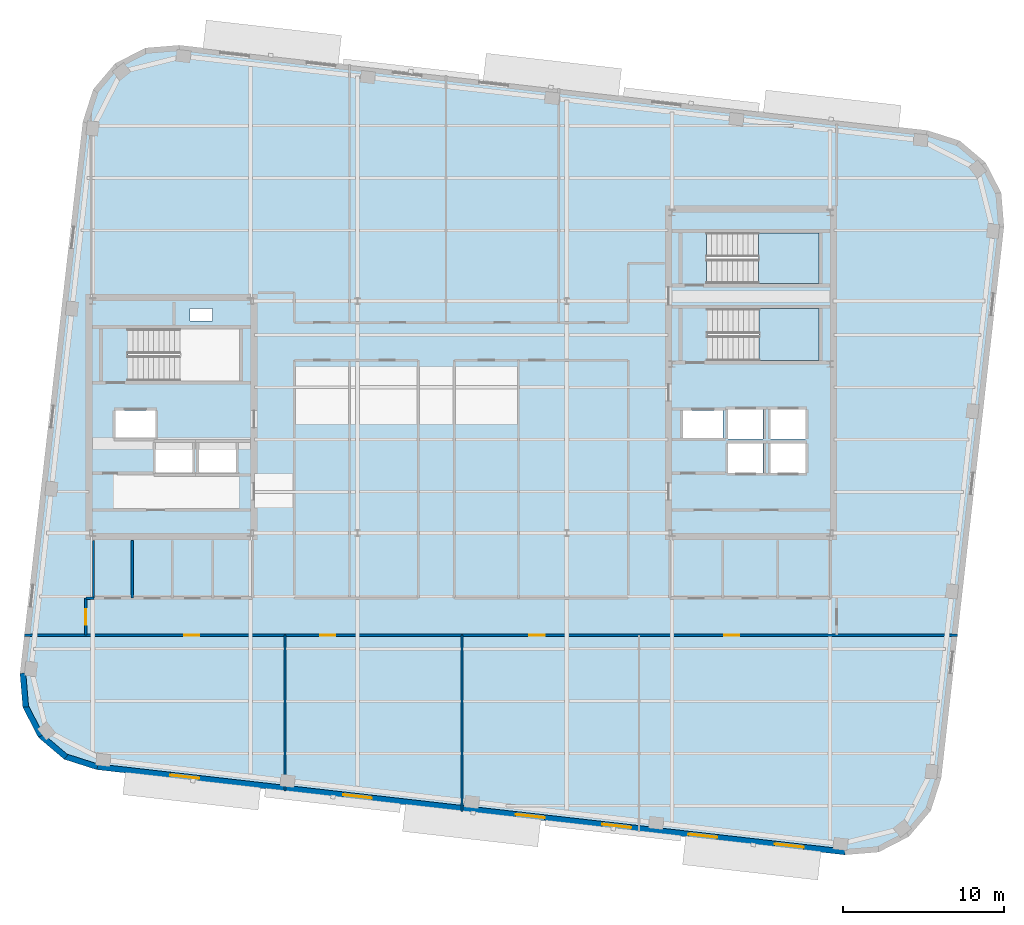
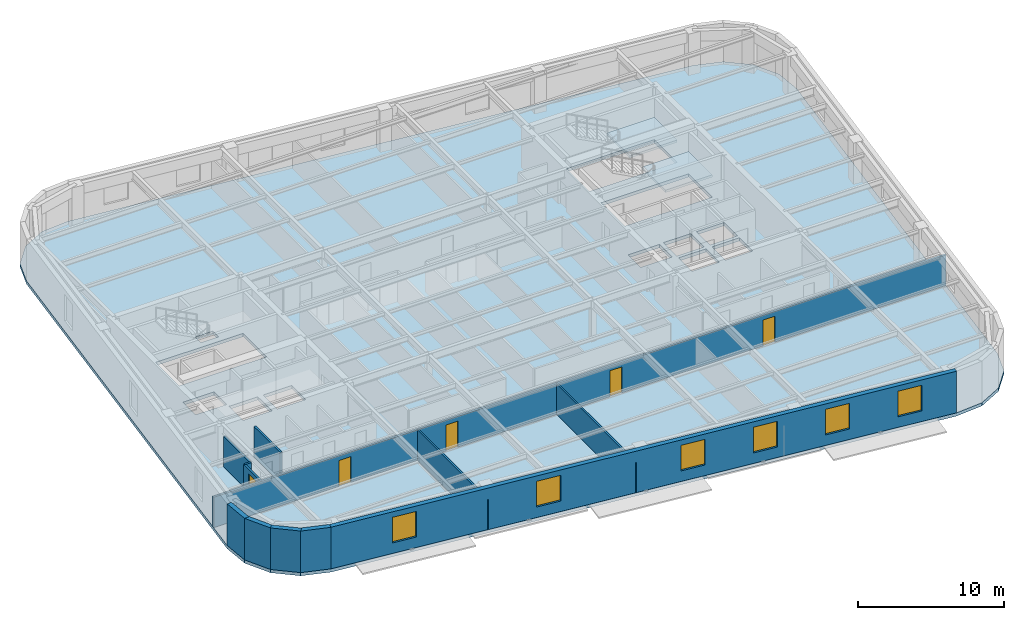
# One storey, part 5 of 13: 12 walls, 6 windows, 5 doors, 3 slabs, 11 openings, 2 elements without a shape of their own.
"""IFC4 building model written with IfcOpenShell, lengths in metres."""

from ifc_helpers import new_model, si_unit, direction, frame, frame_2d, origin, place, context, subcontext, project, spatial, polyline, rectangle, outline, extrude, material, layer, layer_set, type_object, element, fill, aggregate, save


model = new_model("IFC4")

# Units and contexts
model_context = context("Model", 3, precision=1e-05, world=origin(), true_north=direction((0.0, 1.0)))
body_context = subcontext(model_context, "Body", "Model", "MODEL_VIEW")
ifc_project = project(units=[si_unit("LENGTHUNIT", "METRE"), si_unit("AREAUNIT", "SQUARE_METRE"), si_unit("VOLUMEUNIT", "CUBIC_METRE"), si_unit("PLANEANGLEUNIT", "RADIAN"), si_unit("MASSUNIT", "GRAM", prefix="KILO")], contexts=[model_context])

# Site, building, storey
site_placement = place(None, origin())
site = spatial("IfcSite", under=ifc_project, at=site_placement, CompositionType="ELEMENT")
building_placement = place(site_placement, origin())
building = spatial("IfcBuilding", under=site, at=building_placement, Name="Kolvaren Arena Tower", CompositionType="ELEMENT")
storey_placement = place(building_placement, frame((0.0, 0.0, 228.449951171875)))
storey = spatial("IfcBuildingStorey", under=building, at=storey_placement, Name="L55", CompositionType="ELEMENT", Elevation=228.449951171875)

# Stair, slab
ifc_material_1 = material(Name="Concrete 45 MPa", Category="concrete")
stair_type_1 = type_object("IfcStairType", Name="STAIR-CORE-165", PredefinedType="HALF_TURN_STAIR", material=ifc_material_1)
stair_1_placement = place(storey_placement, origin())
stair_1 = element("IfcStair", 1, at=stair_1_placement, inside=storey, type_object=stair_type_1, Name="L55 ST-E1", PredefinedType="HALF_TURN_STAIR")
ifc_layer_1 = layer(ifc_material_1, 0.199951171875)
ifc_layer_set_1 = layer_set([ifc_layer_1], Name="Concrete 45 MPa")
slab_type_1 = type_object("IfcSlabType", Name="SLAB-LAND", PredefinedType="LANDING", material=ifc_layer_set_1)
slab_1_placement = place(storey_placement, frame((0.0, 0.0, 1.675048828125)))
slab_1 = element("IfcSlab", 2, at=slab_1_placement, type_object=slab_type_1, Name="ST-E1 landing 1", PredefinedType="LANDING", context=body_context, shape_type="SweptSolid", body=[
    extrude(outline(polyline([(55.9599609375, 30.14990234375), (59.659912109375, 30.14990234375), (59.659912109375, 33.3798828125), (55.9599609375, 33.3798828125), (55.9599609375, 30.14990234375)])), origin(), (0.0, 0.0, 1.0), 0.199951171875),
])
aggregate(stair_1, [slab_1])

stair_type_2 = type_object("IfcStairType", Name="STAIR-CORE-150", PredefinedType="HALF_TURN_STAIR", material=ifc_material_1)
stair_2_placement = place(storey_placement, origin())
stair_2 = element("IfcStair", 3, at=stair_2_placement, inside=storey, type_object=stair_type_2, Name="L55 ST-E2", PredefinedType="HALF_TURN_STAIR")
slab_2_placement = place(storey_placement, frame((0.0, 0.0, 1.675048828125)))
slab_2 = element("IfcSlab", 4, at=slab_2_placement, type_object=slab_type_1, Name="ST-E2 landing 1", PredefinedType="LANDING", context=body_context, shape_type="SweptSolid", body=[
    extrude(outline(polyline([(55.919921875, 34.949951171875), (59.659912109375, 34.949951171875), (59.659912109375, 38.10009765625), (55.919921875, 38.10009765625), (55.919921875, 34.949951171875)])), origin(), (0.0, 0.0, 1.0), 0.199951171875),
])
aggregate(stair_2, [slab_2])

# Slab
ifc_layer_2 = layer(ifc_material_1, 0.27001953125)
ifc_layer_set_2 = layer_set([ifc_layer_2], Name="Concrete 45 MPa")
slab_type_2 = type_object("IfcSlabType", Name="SLAB-OFF2", PredefinedType="FLOOR", material=ifc_layer_set_2)
slab_3_placement = place(storey_placement, frame((0.0, 0.0, -0.27001953125)))
element("IfcSlab", 5, at=slab_3_placement, inside=storey, type_object=slab_type_2, Name="L55 Primary Structural Slab", PredefinedType="FLOOR", context=body_context, shape_type="SweptSolid", body=[
    extrude(outline(polyline([(61.285400390625, -0.553466796875), (63.38525390625, -0.37890625), (65.25830078125, 0.585693359375), (66.619873046875, 2.194091796875), (67.26220703125, 4.20068359375), (71.16748046875, 38.47900390625), (70.9931640625, 40.57861328125), (70.0283203125, 42.45166015625), (68.42041015625, 43.81298828125), (66.41357421875, 44.455322265625), (19.91455078125, 49.75341796875), (17.814697265625, 49.578857421875), (15.941650390625, 48.6142578125), (14.580078125, 47.006103515625), (13.93798828125, 44.99951171875), (10.032470703125, 10.72119140625), (10.206787109375, 8.621337890625), (11.171630859375, 6.748291015625), (12.77978515625, 5.386962890625), (14.786376953125, 4.74462890625), (61.285400390625, -0.553466796875)]), holes=[polyline([(20.739990234375, 23.135009765625), (18.4599609375, 23.135009765625), (18.4599609375, 25.06494140625), (20.739990234375, 25.06494140625), (20.739990234375, 23.135009765625)]), polyline([(21.159912109375, 23.135009765625), (21.159912109375, 25.06494140625), (23.43994140625, 25.06494140625), (23.43994140625, 23.135009765625), (21.159912109375, 23.135009765625)]), polyline([(56.2099609375, 23.18505859375), (54.030029296875, 23.18505859375), (54.030029296875, 25.014892578125), (56.2099609375, 25.014892578125), (56.2099609375, 23.18505859375)]), polyline([(56.669921875, 23.18505859375), (56.669921875, 25.014892578125), (58.85009765625, 25.014892578125), (58.85009765625, 23.18505859375), (56.669921875, 23.18505859375)]), polyline([(54.030029296875, 25.284912109375), (54.030029296875, 27.114990234375), (56.2099609375, 27.114990234375), (56.2099609375, 25.284912109375), (54.030029296875, 25.284912109375)]), polyline([(58.85009765625, 25.284912109375), (56.669921875, 25.284912109375), (56.669921875, 27.114990234375), (58.85009765625, 27.114990234375), (58.85009765625, 25.284912109375)]), polyline([(15.9599609375, 25.3349609375), (15.9599609375, 27.06494140625), (18.43994140625, 27.06494140625), (18.43994140625, 25.3349609375), (15.9599609375, 25.3349609375)]), polyline([(53.699951171875, 25.3349609375), (51.219970703125, 25.3349609375), (51.219970703125, 27.06494140625), (53.699951171875, 27.06494140625), (53.699951171875, 25.3349609375)]), polyline([(16.735107421875, 28.89990234375), (16.735107421875, 32.1298828125), (23.659912109375, 32.1298828125), (23.659912109375, 28.89990234375), (16.735107421875, 28.89990234375)]), polyline([(52.735107421875, 30.14990234375), (52.735107421875, 33.3798828125), (59.659912109375, 33.3798828125), (59.659912109375, 30.14990234375), (52.735107421875, 30.14990234375)]), polyline([(20.60009765625, 32.6201171875), (20.60009765625, 33.39990234375), (22.0, 33.39990234375), (22.0, 32.6201171875), (20.60009765625, 32.6201171875)]), polyline([(52.695068359375, 34.949951171875), (52.695068359375, 38.10009765625), (59.659912109375, 38.10009765625), (59.659912109375, 34.949951171875), (52.695068359375, 34.949951171875)])]), origin(), (0.0, 0.0, 1.0), 0.27001953125),
])

# Wall, openings, doors
ifc_material_2 = material(Name="Gypsum board acoustic assembly", Category="gypsum")
ifc_layer_3 = layer(ifc_material_2, 0.159912109375)
ifc_layer_set_3 = layer_set([ifc_layer_3], Name="Gypsum board acoustic assembly")
wall_type_1 = type_object("IfcWallType", Name="CORR-160", PredefinedType="PARTITIONING", material=ifc_layer_set_3)
wall_1_placement = place(storey_placement, frame((10.303466796875, 13.10009765625, 0.0), z_axis=(0.0, 0.0, 1.0), x_axis=(1.0, 0.0, 0.0)))
wall_1 = element("IfcWall", 6, at=wall_1_placement, inside=storey, type_object=wall_type_1, Name="Interior Partition Wall (L55)", PredefinedType="PARTITIONING", context=body_context, shape_type="SweptSolid", body=[
    extrude(rectangle(XDim=57.97265625, YDim=0.159912109375, at=frame_2d((28.986328125, 0.0))), origin(), (0.0, 0.0, 1.0), 2.5400390625),
])
opening_1_placement = place(wall_1_placement, frame((9.921630859375, 0.0, 0.0)))
opening_1 = element("IfcOpeningElement", 7, at=opening_1_placement, cuts=wall_1, Name="Opening D05", PredefinedType="OPENING", context=body_context, shape_type="SweptSolid", body=[
    extrude(rectangle(XDim=0.949951171875, YDim=2.14990234375, at=frame_2d((0.47509765625, 1.074951171875))), frame((0.0, 0.08984375, 0.0), z_axis=(0.0, -1.0, 0.0), x_axis=(1.0, 0.0, 0.0)), (0.0, 0.0, 1.0), 0.179931640625),
])
opening_2_placement = place(wall_1_placement, frame((18.37158203125, 0.0, 0.0)))
opening_2 = element("IfcOpeningElement", 8, at=opening_2_placement, cuts=wall_1, Name="Opening D05", PredefinedType="OPENING", context=body_context, shape_type="SweptSolid", body=[
    extrude(rectangle(XDim=0.949951171875, YDim=2.14990234375, at=frame_2d((0.47509765625, 1.074951171875))), frame((0.0, 0.08984375, 0.0), z_axis=(0.0, -1.0, 0.0), x_axis=(1.0, 0.0, 0.0)), (0.0, 0.0, 1.0), 0.179931640625),
])
opening_3_placement = place(wall_1_placement, frame((31.37158203125, 0.0, 0.0)))
opening_3 = element("IfcOpeningElement", 9, at=opening_3_placement, cuts=wall_1, Name="Opening D05", PredefinedType="OPENING", context=body_context, shape_type="SweptSolid", body=[
    extrude(rectangle(XDim=0.949951171875, YDim=2.14990234375, at=frame_2d((0.47509765625, 1.074951171875))), frame((0.0, 0.08984375, 0.0), z_axis=(0.0, -1.0, 0.0), x_axis=(1.0, 0.0, 0.0)), (0.0, 0.0, 1.0), 0.179931640625),
])
opening_4_placement = place(wall_1_placement, frame((43.4716796875, 0.0, 0.0)))
opening_4 = element("IfcOpeningElement", 10, at=opening_4_placement, cuts=wall_1, Name="Opening D05", PredefinedType="OPENING", context=body_context, shape_type="SweptSolid", body=[
    extrude(rectangle(XDim=0.949951171875, YDim=2.14990234375, at=frame_2d((0.47509765625, 1.074951171875))), frame((0.0, 0.08984375, 0.0), z_axis=(0.0, -1.0, 0.0), x_axis=(1.0, 0.0, 0.0)), (0.0, 0.0, 1.0), 0.179931640625),
])
ifc_material_3 = material(Name="Solid-core oak acoustic office door", Category="wood")
door_type = type_object("IfcDoorType", Name="DOOR-OF-095", OperationType="NOTDEFINED", PredefinedType="DOOR", material=ifc_material_3)
door_1_placement = place(opening_1_placement, origin())
door_1 = element("IfcDoor", 11, at=door_1_placement, inside=storey, type_object=door_type, Name="Executive Office Door (L55)", OperationType="SINGLE_SWING_LEFT", OverallHeight=2.14990234375, OverallWidth=0.949951171875, PredefinedType="DOOR", context=body_context, shape_type="SweptSolid", body=[
    extrude(rectangle(XDim=0.949951171875, YDim=2.14990234375, at=frame_2d((0.47509765625, 1.074951171875))), frame((0.0, 0.02490234375, 0.0), z_axis=(0.0, -1.0, 0.0), x_axis=(1.0, 0.0, 0.0)), (0.0, 0.0, 1.0), 0.050048828125),
])
fill(opening_1, door_1)
door_2_placement = place(opening_2_placement, origin())
door_2 = element("IfcDoor", 12, at=door_2_placement, inside=storey, type_object=door_type, Name="Collaborative Work Studio Door (L55)", OperationType="SINGLE_SWING_RIGHT", OverallHeight=2.14990234375, OverallWidth=0.949951171875, PredefinedType="DOOR", context=body_context, shape_type="SweptSolid", body=[
    extrude(rectangle(XDim=0.949951171875, YDim=2.14990234375, at=frame_2d((0.47509765625, 1.074951171875))), frame((0.0, 0.02490234375, 0.0), z_axis=(0.0, -1.0, 0.0), x_axis=(1.0, 0.0, 0.0)), (0.0, 0.0, 1.0), 0.050048828125),
])
fill(opening_2, door_2)
door_3_placement = place(opening_3_placement, origin())
door_3 = element("IfcDoor", 13, at=door_3_placement, inside=storey, type_object=door_type, Name="Technical Engineering Office Door (L55)", OperationType="SINGLE_SWING_LEFT", OverallHeight=2.14990234375, OverallWidth=0.949951171875, PredefinedType="DOOR", context=body_context, shape_type="SweptSolid", body=[
    extrude(rectangle(XDim=0.949951171875, YDim=2.14990234375, at=frame_2d((0.47509765625, 1.074951171875))), frame((0.0, 0.02490234375, 0.0), z_axis=(0.0, -1.0, 0.0), x_axis=(1.0, 0.0, 0.0)), (0.0, 0.0, 1.0), 0.050048828125),
])
fill(opening_3, door_3)
door_4_placement = place(opening_4_placement, origin())
door_4 = element("IfcDoor", 14, at=door_4_placement, inside=storey, type_object=door_type, Name="Corporate Project Office Door (L55)", OperationType="SINGLE_SWING_RIGHT", OverallHeight=2.14990234375, OverallWidth=0.949951171875, PredefinedType="DOOR", context=body_context, shape_type="SweptSolid", body=[
    extrude(rectangle(XDim=0.949951171875, YDim=2.14990234375, at=frame_2d((0.47509765625, 1.074951171875))), frame((0.0, 0.02490234375, 0.0), z_axis=(0.0, -1.0, 0.0), x_axis=(1.0, 0.0, 0.0)), (0.0, 0.0, 1.0), 0.050048828125),
])
fill(opening_4, door_4)

# Wall, opening, door
wall_2_placement = place(storey_placement, frame((14.1201171875, 13.10009765625, 0.0), z_axis=(0.0, 0.0, 1.0), x_axis=(0.0, 1.0, 0.0)))
wall_2 = element("IfcWall", 15, at=wall_2_placement, inside=storey, type_object=wall_type_1, Name="Interior Partition Wall (L55)", PredefinedType="PARTITIONING", context=body_context, shape_type="SweptSolid", body=[
    extrude(rectangle(XDim=2.2998046875, YDim=0.159912109375, at=frame_2d((1.14990234375, 0.0))), origin(), (0.0, 0.0, 1.0), 2.5400390625),
])
opening_5_placement = place(wall_2_placement, frame((0.64990234375, 0.0, 0.0)))
opening_5 = element("IfcOpeningElement", 16, at=opening_5_placement, cuts=wall_2, Name="Opening D05", PredefinedType="OPENING", context=body_context, shape_type="SweptSolid", body=[
    extrude(rectangle(XDim=0.949951171875, YDim=2.14990234375, at=frame_2d((0.47509765625, 1.074951171875))), frame((0.0, 0.08984375, 0.0), z_axis=(0.0, -1.0, 0.0), x_axis=(1.0, 0.0, 0.0)), (0.0, 0.0, 1.0), 0.179931640625),
])
door_5_placement = place(opening_5_placement, origin())
door_5 = element("IfcDoor", 17, at=door_5_placement, inside=storey, type_object=door_type, Name="West Wing Office Door (L55)", OperationType="SINGLE_SWING_LEFT", OverallHeight=2.14990234375, OverallWidth=0.949951171875, PredefinedType="DOOR", context=body_context, shape_type="SweptSolid", body=[
    extrude(rectangle(XDim=0.949951171875, YDim=2.14990234375, at=frame_2d((0.47509765625, 1.074951171875))), frame((0.0, 0.02490234375, 0.0), z_axis=(0.0, -1.0, 0.0), x_axis=(1.0, 0.0, 0.0)), (0.0, 0.0, 1.0), 0.050048828125),
])
fill(opening_5, door_5)

# Walls
wall_3_placement = place(storey_placement, frame((14.1201171875, 15.39990234375, 0.0), z_axis=(0.0, 0.0, 1.0), x_axis=(1.0, 0.0, 0.0)))
element("IfcWall", 18, at=wall_3_placement, inside=storey, type_object=wall_type_1, Name="Interior Partition Wall (L55)", PredefinedType="PARTITIONING", context=body_context, shape_type="SweptSolid", body=[
    extrude(rectangle(XDim=0.5, YDim=0.159912109375, at=frame_2d((0.25, 0.0))), origin(), (0.0, 0.0, 1.0), 2.5400390625),
])
ifc_material_4 = material(Name="Precast concrete C50/60", Category="concrete")
ifc_layer_4 = layer(ifc_material_4, 0.360107421875)
ifc_layer_set_4 = layer_set([ifc_layer_4], Name="Precast concrete C50/60")
wall_type_2 = type_object("IfcWallType", Name="EXT-PIER2", PredefinedType="SOLIDWALL", material=ifc_layer_set_4)
wall_4_placement = place(storey_placement, frame((10.38623046875, 8.63623046875, 0.0), z_axis=(0.0, 0.0, 1.0), x_axis=(-0.082729038891, 0.996572077737, 0.0)))
element("IfcWall", 19, at=wall_4_placement, inside=storey, type_object=wall_type_2, Name="Exterior Precast Masonry-Frame Wall (L55)", PredefinedType="SOLIDWALL", context=body_context, shape_type="SweptSolid", body=[
    extrude(rectangle(XDim=2.107177734375, YDim=0.360107421875, at=frame_2d((1.0537109375, 0.0))), origin(), (0.0, 0.0, 1.0), 3.47998046875),
])
for number, where, z_axis, x_axis, name in (
    (20, (11.33154296875, 6.830810546875, 0.0), (0.0, 0.0, 1.0), (-0.457934390142, 0.888985992199, 0.0), "Exterior Precast Masonry-Frame Wall (L55)"),
    (21, (12.89599609375, 5.5244140625, 0.0), (0.0, 0.0, 1.0), (-0.763250018691, 0.646103249464, 0.0), "Exterior Precast Masonry-Frame Wall (L55)"),
    (22, (14.84130859375, 4.916015625, 0.0), (0.0, 0.0, 1.0), (-0.952393196904, 0.304872429864, 0.0), "Exterior Precast Masonry-Frame Wall (L55)"),
):
    element("IfcWall", number, at=place(storey_placement, frame(where, z_axis=z_axis, x_axis=x_axis)), inside=storey, type_object=wall_type_2, Name=name, PredefinedType="SOLIDWALL", context=body_context, shape_type="SweptSolid", body=[
        extrude(rectangle(XDim=2.10693359375, YDim=0.360107421875, at=frame_2d((1.053466796875, 0.0))), origin(), (0.0, 0.0, 1.0), 3.47998046875),
    ])

# Wall, openings, windows
wall_5_placement = place(storey_placement, frame((61.305908203125, -0.37451171875, 0.0), z_axis=(0.0, 0.0, 1.0), x_axis=(-0.993571958919, 0.113202307616, 0.0)))
wall_5 = element("IfcWall", 23, at=wall_5_placement, inside=storey, type_object=wall_type_2, Name="Exterior Precast Masonry-Frame Wall (L55)", PredefinedType="SOLIDWALL", context=body_context, shape_type="SweptSolid", body=[
    extrude(rectangle(XDim=46.7998046875, YDim=0.360107421875, at=frame_2d((23.39990234375, 0.0))), origin(), (0.0, 0.0, 1.0), 3.47998046875),
])
opening_6_placement = place(wall_5_placement, frame((2.60009765625, 0.0, 0.8798828125)))
opening_6 = element("IfcOpeningElement", 24, at=opening_6_placement, cuts=wall_5, Name="Opening W02", PredefinedType="OPENING", context=body_context, shape_type="SweptSolid", body=[
    extrude(rectangle(XDim=1.800048828125, YDim=2.14990234375, at=frame_2d((0.89990234375, 1.074951171875))), frame((0.0, 0.18994140625, 0.0), z_axis=(0.0, -1.0, 0.0), x_axis=(1.0, 0.0, 0.0)), (0.0, 0.0, 1.0), 0.380126953125),
])
opening_7_placement = place(wall_5_placement, frame((8.0, 0.0, 0.8798828125)))
opening_7 = element("IfcOpeningElement", 25, at=opening_7_placement, cuts=wall_5, Name="Opening W02", PredefinedType="OPENING", context=body_context, shape_type="SweptSolid", body=[
    extrude(rectangle(XDim=1.800048828125, YDim=2.14990234375, at=frame_2d((0.89990234375, 1.074951171875))), frame((0.0, 0.18994140625, 0.0), z_axis=(0.0, -1.0, 0.0), x_axis=(1.0, 0.0, 0.0)), (0.0, 0.0, 1.0), 0.380126953125),
])
opening_8_placement = place(wall_5_placement, frame((13.39990234375, 0.0, 0.8798828125)))
opening_8 = element("IfcOpeningElement", 26, at=opening_8_placement, cuts=wall_5, Name="Opening W02", PredefinedType="OPENING", context=body_context, shape_type="SweptSolid", body=[
    extrude(rectangle(XDim=1.800048828125, YDim=2.14990234375, at=frame_2d((0.89990234375, 1.074951171875))), frame((0.0, 0.18994140625, 0.0), z_axis=(0.0, -1.0, 0.0), x_axis=(1.0, 0.0, 0.0)), (0.0, 0.0, 1.0), 0.380126953125),
])
opening_9_placement = place(wall_5_placement, frame((18.800048828125, 0.0, 0.8798828125)))
opening_9 = element("IfcOpeningElement", 27, at=opening_9_placement, cuts=wall_5, Name="Opening W02", PredefinedType="OPENING", context=body_context, shape_type="SweptSolid", body=[
    extrude(rectangle(XDim=1.800048828125, YDim=2.14990234375, at=frame_2d((0.89990234375, 1.074951171875))), frame((0.0, 0.18994140625, 0.0), z_axis=(0.0, -1.0, 0.0), x_axis=(1.0, 0.0, 0.0)), (0.0, 0.0, 1.0), 0.380126953125),
])
opening_10_placement = place(wall_5_placement, frame((29.60009765625, 0.0, 0.8798828125)))
opening_10 = element("IfcOpeningElement", 28, at=opening_10_placement, cuts=wall_5, Name="Opening W02", PredefinedType="OPENING", context=body_context, shape_type="SweptSolid", body=[
    extrude(rectangle(XDim=1.800048828125, YDim=2.14990234375, at=frame_2d((0.89990234375, 1.074951171875))), frame((0.0, 0.18994140625, 0.0), z_axis=(0.0, -1.0, 0.0), x_axis=(1.0, 0.0, 0.0)), (0.0, 0.0, 1.0), 0.380126953125),
])
opening_11_placement = place(wall_5_placement, frame((40.39990234375, 0.0, 0.8798828125)))
opening_11 = element("IfcOpeningElement", 29, at=opening_11_placement, cuts=wall_5, Name="Opening W02", PredefinedType="OPENING", context=body_context, shape_type="SweptSolid", body=[
    extrude(rectangle(XDim=1.800048828125, YDim=2.14990234375, at=frame_2d((0.89990234375, 1.074951171875))), frame((0.0, 0.18994140625, 0.0), z_axis=(0.0, -1.0, 0.0), x_axis=(1.0, 0.0, 0.0)), (0.0, 0.0, 1.0), 0.380126953125),
])
ifc_material_5 = material(Name="Triple-glazed low-E aluminium window", Category="aluminium")
window_type = type_object("IfcWindowType", Name="WIN-OFF-B", PartitioningType="DOUBLE_PANEL_VERTICAL", PredefinedType="WINDOW", material=ifc_material_5)
window_1_placement = place(opening_6_placement, origin())
window_1 = element("IfcWindow", 30, at=window_1_placement, inside=storey, type_object=window_type, Name="Punched Precast-Pier Window (L55)", OverallHeight=2.14990234375, OverallWidth=1.800048828125, PartitioningType="DOUBLE_PANEL_VERTICAL", PredefinedType="WINDOW", context=body_context, shape_type="SweptSolid", body=[
    extrude(rectangle(XDim=1.800048828125, YDim=2.14990234375, at=frame_2d((0.89990234375, 1.074951171875))), frame((0.0, 0.030029296875, 0.0), z_axis=(0.0, -1.0, 0.0), x_axis=(1.0, 0.0, 0.0)), (0.0, 0.0, 1.0), 0.06005859375),
])
fill(opening_6, window_1)
window_2_placement = place(opening_7_placement, origin())
window_2 = element("IfcWindow", 31, at=window_2_placement, inside=storey, type_object=window_type, Name="Punched Precast-Pier Window (L55)", OverallHeight=2.14990234375, OverallWidth=1.800048828125, PartitioningType="DOUBLE_PANEL_VERTICAL", PredefinedType="WINDOW", context=body_context, shape_type="SweptSolid", body=[
    extrude(rectangle(XDim=1.800048828125, YDim=2.14990234375, at=frame_2d((0.89990234375, 1.074951171875))), frame((0.0, 0.030029296875, 0.0), z_axis=(0.0, -1.0, 0.0), x_axis=(1.0, 0.0, 0.0)), (0.0, 0.0, 1.0), 0.06005859375),
])
fill(opening_7, window_2)
window_3_placement = place(opening_8_placement, origin())
window_3 = element("IfcWindow", 32, at=window_3_placement, inside=storey, type_object=window_type, Name="Punched Precast-Pier Window (L55)", OverallHeight=2.14990234375, OverallWidth=1.800048828125, PartitioningType="DOUBLE_PANEL_VERTICAL", PredefinedType="WINDOW", context=body_context, shape_type="SweptSolid", body=[
    extrude(rectangle(XDim=1.800048828125, YDim=2.14990234375, at=frame_2d((0.89990234375, 1.074951171875))), frame((0.0, 0.030029296875, 0.0), z_axis=(0.0, -1.0, 0.0), x_axis=(1.0, 0.0, 0.0)), (0.0, 0.0, 1.0), 0.06005859375),
])
fill(opening_8, window_3)
window_4_placement = place(opening_9_placement, origin())
window_4 = element("IfcWindow", 33, at=window_4_placement, inside=storey, type_object=window_type, Name="Punched Precast-Pier Window (L55)", OverallHeight=2.14990234375, OverallWidth=1.800048828125, PartitioningType="DOUBLE_PANEL_VERTICAL", PredefinedType="WINDOW", context=body_context, shape_type="SweptSolid", body=[
    extrude(rectangle(XDim=1.800048828125, YDim=2.14990234375, at=frame_2d((0.89990234375, 1.074951171875))), frame((0.0, 0.030029296875, 0.0), z_axis=(0.0, -1.0, 0.0), x_axis=(1.0, 0.0, 0.0)), (0.0, 0.0, 1.0), 0.06005859375),
])
fill(opening_9, window_4)
window_5_placement = place(opening_10_placement, origin())
window_5 = element("IfcWindow", 34, at=window_5_placement, inside=storey, type_object=window_type, Name="Punched Precast-Pier Window (L55)", OverallHeight=2.14990234375, OverallWidth=1.800048828125, PartitioningType="DOUBLE_PANEL_VERTICAL", PredefinedType="WINDOW", context=body_context, shape_type="SweptSolid", body=[
    extrude(rectangle(XDim=1.800048828125, YDim=2.14990234375, at=frame_2d((0.89990234375, 1.074951171875))), frame((0.0, 0.030029296875, 0.0), z_axis=(0.0, -1.0, 0.0), x_axis=(1.0, 0.0, 0.0)), (0.0, 0.0, 1.0), 0.06005859375),
])
fill(opening_10, window_5)
window_6_placement = place(opening_11_placement, origin())
window_6 = element("IfcWindow", 35, at=window_6_placement, inside=storey, type_object=window_type, Name="Punched Precast-Pier Window (L55)", OverallHeight=2.14990234375, OverallWidth=1.800048828125, PartitioningType="DOUBLE_PANEL_VERTICAL", PredefinedType="WINDOW", context=body_context, shape_type="SweptSolid", body=[
    extrude(rectangle(XDim=1.800048828125, YDim=2.14990234375, at=frame_2d((0.89990234375, 1.074951171875))), frame((0.0, 0.030029296875, 0.0), z_axis=(0.0, -1.0, 0.0), x_axis=(1.0, 0.0, 0.0)), (0.0, 0.0, 1.0), 0.06005859375),
])
fill(opening_11, window_6)

# Walls
ifc_material_6 = material(Name="Gypsum board partition assembly", Category="gypsum")
ifc_layer_5 = layer(ifc_material_6, 0.135009765625)
ifc_layer_set_5 = layer_set([ifc_layer_5], Name="Gypsum board partition assembly")
wall_type_3 = type_object("IfcWallType", Name="PART-135", PredefinedType="PARTITIONING", material=ifc_layer_set_5)
wall_6_placement = place(storey_placement, frame((26.5, 3.409912109375, 0.0), z_axis=(0.0, 0.0, 1.0), x_axis=(0.0, 1.0, 0.0)))
element("IfcWall", 36, at=wall_6_placement, inside=storey, type_object=wall_type_3, Name="Interior Partition Wall (L55)", PredefinedType="PARTITIONING", context=body_context, shape_type="SweptSolid", body=[
    extrude(rectangle(XDim=9.690185546875, YDim=0.135009765625, at=frame_2d((4.84521484375, 0.0))), origin(), (0.0, 0.0, 1.0), 2.5400390625),
])
wall_7_placement = place(storey_placement, frame((37.5, 2.15673828125, 0.0), z_axis=(0.0, 0.0, 1.0), x_axis=(0.0, 1.0, 0.0)))
element("IfcWall", 37, at=wall_7_placement, inside=storey, type_object=wall_type_3, Name="Interior Partition Wall (L55)", PredefinedType="PARTITIONING", context=body_context, shape_type="SweptSolid", body=[
    extrude(rectangle(XDim=10.943359375, YDim=0.135009765625, at=frame_2d((5.4716796875, 0.0))), origin(), (0.0, 0.0, 1.0), 2.5400390625),
])
ifc_material_7 = material(Name="Moisture-resistant gypsum assembly", Category="gypsum")
ifc_layer_6 = layer(ifc_material_7, 0.14990234375)
ifc_layer_set_6 = layer_set([ifc_layer_6], Name="Moisture-resistant gypsum assembly")
wall_type_4 = type_object("IfcWallType", Name="WETW-150", PredefinedType="PARTITIONING", material=ifc_layer_set_6)
for number, where, z_axis, x_axis, name in (
    (38, (17.0, 15.39990234375, 0.0), (0.0, 0.0, 1.0), (0.0, 1.0, 0.0), "Interior Partition Wall (L55)"),
    (39, (14.60009765625, 15.39990234375, 0.0), (0.0, 0.0, 1.0), (0.0, 1.0, 0.0), "Interior Partition Wall (L55)"),
):
    element("IfcWall", number, at=place(storey_placement, frame(where, z_axis=z_axis, x_axis=x_axis)), inside=storey, type_object=wall_type_4, Name=name, PredefinedType="PARTITIONING", context=body_context, shape_type="SweptSolid", body=[
        extrude(rectangle(XDim=3.580078125, YDim=0.14990234375, at=frame_2d((1.7900390625, 0.0))), origin(), (0.0, 0.0, 1.0), 2.5400390625),
    ])

save(model, "model.ifc")
